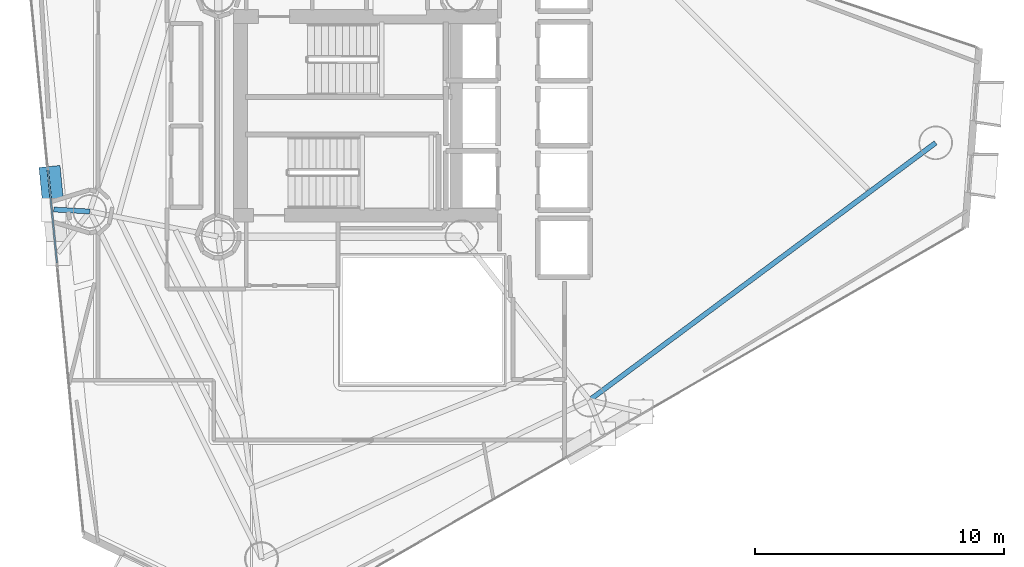
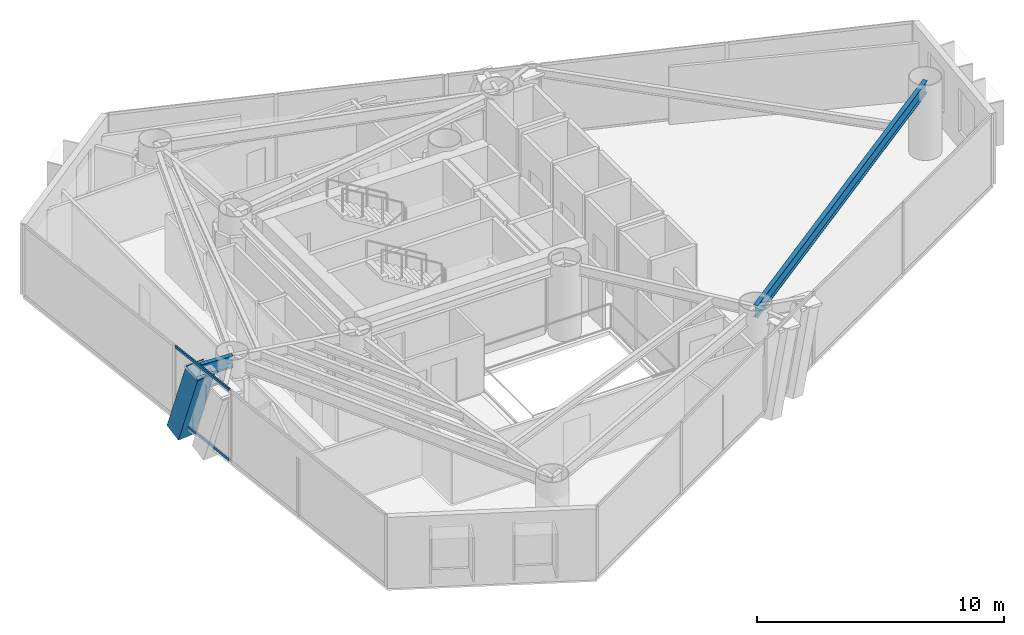
# One storey, part 8 of 22: 3 members, 2 beams, 1 element without a shape of its own.
"""IFC4 building model written with IfcOpenShell, lengths in metres."""

import ifcopenshell
import ifcopenshell.guid

model = None  # the IFC model being written
_history = None  # IfcOwnerHistory: only IFC2X3 demands one
_inside = {}  # id of a spatial element -> (the spatial element, [elements in it])
_under = {}  # id of a project, library or spatial element -> (it, [spatial elements below it])
_declared = {}  # id of a project -> (the project, [libraries it declares])
_typed = {}  # id of a type object -> (the type object, [elements of that type])
_made_of = {}  # id of a material, layer set ... -> (it, [elements and type objects made of it])


def new_model(schema):
    """Start an empty IFC model of exactly this schema.

    Asked for "IFC4X3", IfcOpenShell would pick the latest addendum, in which some entities
    have other attributes; the version numbers below select the first issue.
    IFC2X3 requires an IfcOwnerHistory on every rooted entity: one is made here for all.
    """
    global model, _history
    if schema == "IFC4X3":
        model = ifcopenshell.file(schema_version=(4, 3, 0, 0))
    else:
        model = ifcopenshell.file(schema=schema)
    _inside.clear()
    _under.clear()
    _declared.clear()
    _typed.clear()
    _made_of.clear()
    _history = None
    if model.schema == "IFC2X3":
        org = make("IfcOrganization", Name="unknown")
        user = make(
            "IfcPersonAndOrganization",
            ThePerson=make("IfcPerson", FamilyName="unknown"),
            TheOrganization=org,
        )
        app = make(
            "IfcApplication",
            ApplicationDeveloper=org,
            Version="unknown",
            ApplicationFullName="unknown",
            ApplicationIdentifier="unknown",
        )
        _history = make(
            "IfcOwnerHistory",
            OwningUser=user,
            OwningApplication=app,
            ChangeAction="ADDED",
            CreationDate=0,
        )
    return model


def make(cls, **values):
    """One entity of the class cls with the attributes given. An attribute that is None is left unset."""
    return model.create_entity(
        cls, **{name: value for name, value in values.items() if value is not None}
    )


def rooted(cls, **values):
    """An entity with a GlobalId (a new one), such as an element, a storey or a relation."""
    return make(cls, GlobalId=ifcopenshell.guid.new(), OwnerHistory=_history, **values)


def si_unit(unit_type, name, prefix=None):
    """IfcSIUnit, for example si_unit("LENGTHUNIT", "METRE", prefix="MILLI")."""
    return make("IfcSIUnit", UnitType=unit_type, Prefix=prefix, Name=name)


def assignment(units):
    """IfcUnitAssignment: the units of a project."""
    return None if units is None else make("IfcUnitAssignment", Units=units)


def point(xyz):
    """IfcCartesianPoint."""
    return None if xyz is None else make("IfcCartesianPoint", Coordinates=xyz)


def direction(xyz):
    """IfcDirection."""
    return None if xyz is None else make("IfcDirection", DirectionRatios=xyz)


def frame(location, z_axis=None, x_axis=None):
    """IfcAxis2Placement3D, a coordinate frame: its origin and axes. An axis left out is left unset."""
    return make(
        "IfcAxis2Placement3D",
        Location=point(location),
        Axis=direction(z_axis),
        RefDirection=direction(x_axis),
    )


def frame_2d(location, x_axis=None):
    """IfcAxis2Placement2D, a coordinate frame in the plane: its origin and x axis."""
    return make(
        "IfcAxis2Placement2D", Location=point(location), RefDirection=direction(x_axis)
    )


def origin():
    """The frame at (0, 0, 0) with its axes left unset."""
    return frame((0.0, 0.0, 0.0))


def origin_2d():
    """The frame at (0, 0) in the plane with its x axis left unset."""
    return frame_2d((0.0, 0.0))


def place(relative_to, where):
    """IfcLocalPlacement: puts the frame where relative to a parent placement (None: the world)."""
    return make(
        "IfcLocalPlacement", PlacementRelTo=relative_to, RelativePlacement=where
    )


def context(
    kind, dimensions, precision=None, world=None, true_north=None, identifier=None
):
    """IfcGeometricRepresentationContext, for example the 3D "Model" context."""
    return make(
        "IfcGeometricRepresentationContext",
        ContextIdentifier=identifier,
        ContextType=kind,
        CoordinateSpaceDimension=dimensions,
        Precision=precision,
        WorldCoordinateSystem=world,
        TrueNorth=true_north,
    )


def subcontext(parent, identifier, kind, view, scale=None):
    """IfcGeometricRepresentationSubContext, for example "Body" below "Model"."""
    return make(
        "IfcGeometricRepresentationSubContext",
        ContextIdentifier=identifier,
        ContextType=kind,
        ParentContext=parent,
        TargetScale=scale,
        TargetView=view,
    )


def project(units=None, contexts=None):
    """IfcProject with its units and contexts."""
    return rooted(
        "IfcProject",
        Name="project",
        RepresentationContexts=contexts,
        UnitsInContext=assignment(units),
    )


def spatial(cls, under=None, at=None, **own):
    """A site, building, storey or space (cls), placed at a placement, below another one or the project."""
    s = rooted(cls, ObjectPlacement=at, **own)
    if under is not None:
        _under.setdefault(under.id(), (under, []))[1].append(s)
    return s


def profile(cls, at=None, kind="AREA", **sizes):
    """A parametric profile (cls). Its sizes go by their IFC names, for example OverallWidth=200.0."""
    return make(cls, ProfileType=kind, Position=at, **sizes)


def hollow_rectangle(**sizes):
    """IfcRectangleHollowProfileDef."""
    return profile("IfcRectangleHollowProfileDef", **sizes)


def i_section(**sizes):
    """IfcIShapeProfileDef."""
    return profile("IfcIShapeProfileDef", **sizes)


def extrude(swept, where, along, depth):
    """IfcExtrudedAreaSolid: the profile swept, set in the frame where, extruded along a direction by depth."""
    return make(
        "IfcExtrudedAreaSolid",
        SweptArea=swept,
        Position=where,
        ExtrudedDirection=direction(along),
        Depth=depth,
    )


def shape(context_of_items, identifier, shape_type, items):
    """IfcShapeRepresentation: the items that make up one representation, for example the "Body"."""
    return make(
        "IfcShapeRepresentation",
        ContextOfItems=context_of_items,
        RepresentationIdentifier=identifier,
        RepresentationType=shape_type,
        Items=items,
    )


def material(Name=None, Category=None):
    """IfcMaterial."""
    return make("IfcMaterial", Name=Name, Category=Category)


def layer(
    of_material, thickness, ventilated=None, Name=None, Category=None, Priority=None
):
    """IfcMaterialLayer: one layer of a wall or slab, of a material (None: an air gap)."""
    return make(
        "IfcMaterialLayer",
        Material=of_material,
        LayerThickness=thickness,
        IsVentilated=ventilated,
        Name=Name,
        Category=Category,
        Priority=Priority,
    )


def layer_set(layers, Name=None):
    """IfcMaterialLayerSet."""
    return make("IfcMaterialLayerSet", MaterialLayers=layers, LayerSetName=Name)


def material_profile(
    of_material, cross_section, Name=None, Category=None, Priority=None
):
    """IfcMaterialProfile: a cross section and its material."""
    return make(
        "IfcMaterialProfile",
        Name=Name,
        Material=of_material,
        Profile=cross_section,
        Priority=Priority,
        Category=Category,
    )


def profile_set(profiles, Name=None, composite=None):
    """IfcMaterialProfileSet."""
    return make(
        "IfcMaterialProfileSet",
        Name=Name,
        MaterialProfiles=profiles,
        CompositeProfile=composite,
    )


def made_of(thing, what):
    """Note that an element or type object is made of a material, layer set ...; save() writes the relation."""
    if what is not None:
        _made_of.setdefault(what.id(), (what, []))[1].append(thing)
    return thing


def type_object(cls, material=None, **own):
    """A type object (cls), such as IfcWallType, which elements share."""
    return made_of(rooted(cls, **own), material)


def element(
    cls,
    number,
    at=None,
    inside=None,
    cuts=None,
    type_object=None,
    material=None,
    context=None,
    identifier="Body",
    shape_type=None,
    held_by="IfcProductDefinitionShape",
    body=None,
    shapes=None,
    **own,
):
    """One element of the class cls, such as IfcWall. Its Tag is "e" and its number.

    at: its placement. inside: the storey or other place that contains it. cuts: it is an
    opening in that element (IfcRelVoidsElement). A single representation is given by context,
    identifier, shape_type and body (its items); several are given by shapes. held_by: the class
    of the entity that holds the representations. save() writes the other relations.
    """
    e = rooted(cls, Tag="e%d" % number, ObjectPlacement=at, **own)
    if body is not None:
        shapes = [shape(context, identifier, shape_type, body)]
    if shapes is not None:
        e.Representation = make(held_by, Representations=shapes)
    if inside is not None:
        _inside.setdefault(inside.id(), (inside, []))[1].append(e)
    if cuts is not None:
        rooted(
            "IfcRelVoidsElement", RelatingBuildingElement=cuts, RelatedOpeningElement=e
        )
    if type_object is not None:
        _typed.setdefault(type_object.id(), (type_object, []))[1].append(e)
    return made_of(e, material)


def aggregate(whole, parts):
    """IfcRelAggregates: a whole, such as a stair, and the parts it consists of."""
    return rooted("IfcRelAggregates", RelatingObject=whole, RelatedObjects=parts)


def save(model, path):
    """Write the relations noted so far, then the file.

    IfcRelAggregates (storeys below a building ...), IfcRelContainedInSpatialStructure (elements
    in a storey), IfcRelDefinesByType, IfcRelAssociatesMaterial and IfcRelDeclares: one each for
    every whole, place, type object, material and project.
    """
    for whole, parts in _under.values():
        aggregate(whole, parts)
    for where, things in _inside.values():
        rooted(
            "IfcRelContainedInSpatialStructure",
            RelatedElements=things,
            RelatingStructure=where,
        )
    for kind, things in _typed.values():
        rooted("IfcRelDefinesByType", RelatedObjects=things, RelatingType=kind)
    for what, things in _made_of.values():
        rooted("IfcRelAssociatesMaterial", RelatedObjects=things, RelatingMaterial=what)
    for by, libraries in _declared.values():
        rooted("IfcRelDeclares", RelatingContext=by, RelatedDefinitions=libraries)
    model.write(path)


model = new_model("IFC4")

# Units and contexts
model_context = context("Model", 3, precision=1e-05, world=origin(), true_north=direction((0.0, 1.0)))
body_context = subcontext(model_context, "Body", "Model", "MODEL_VIEW")
ifc_project = project(units=[si_unit("LENGTHUNIT", "METRE"), si_unit("AREAUNIT", "SQUARE_METRE"), si_unit("VOLUMEUNIT", "CUBIC_METRE"), si_unit("PLANEANGLEUNIT", "RADIAN"), si_unit("MASSUNIT", "GRAM", prefix="KILO")], contexts=[model_context])

# Site, building, storey
site_placement = place(None, origin())
site = spatial("IfcSite", under=ifc_project, at=site_placement, CompositionType="ELEMENT")
building_placement = place(site_placement, origin())
building = spatial("IfcBuilding", under=site, at=building_placement, Name="Qianvela Tower", CompositionType="ELEMENT")
storey_placement = place(building_placement, frame((0.0, 0.0, 169.800048828125)))
storey = spatial("IfcBuildingStorey", under=building, at=storey_placement, Name="L43", CompositionType="ELEMENT", Elevation=169.800048828125)

# Beams
ifc_material_1 = material(Name="Steel Q355B", Category="steel")
ifc_material_profile_1 = material_profile(ifc_material_1, i_section(OverallWidth=0.199951171875, OverallDepth=0.60009765625, WebThickness=0.010986328125, FlangeThickness=0.01708984375, at=origin_2d()), Name="HN600x200x11x17")
ifc_profile_set_1 = profile_set([ifc_material_profile_1], Name="Steel Q355B")
beam_type = type_object("IfcBeamType", Name="BM-HN600-GIRD", PredefinedType="BEAM", material=ifc_profile_set_1)
beam_1_placement = place(storey_placement, frame((23.446044921875, 24.85888671875, 3.218017578125), z_axis=(-0.998511209896, 0.054546894623, 0.0), x_axis=(-0.054546894623, -0.998511209896, 0.0)))
element("IfcBeam", 1, at=beam_1_placement, inside=storey, type_object=beam_type, Name="L43 Mega-Brace Column Tie Bracket F2-1", PredefinedType="BEAM", context=body_context, shape_type="SweptSolid", body=[
    extrude(i_section(OverallWidth=0.199951171875, OverallDepth=0.60009765625, WebThickness=0.010986328125, FlangeThickness=0.01708984375, at=origin_2d()), origin(), (0.0, 0.0, 1.0), 1.4501953125),
])
beam_2_placement = place(storey_placement, frame((43.52490234375, 17.279052734375, 3.218017578125), z_axis=(0.802568869864, 0.596559476603, 0.0), x_axis=(-0.596559476603, 0.802568869864, 0.0)))
element("IfcBeam", 2, at=beam_2_placement, inside=storey, type_object=beam_type, Name="L43 Perimeter Ring Spandrel Girder 6", PredefinedType="BEAM", context=body_context, shape_type="SweptSolid", body=[
    extrude(i_section(OverallWidth=0.199951171875, OverallDepth=0.60009765625, WebThickness=0.010986328125, FlangeThickness=0.01708984375, at=origin_2d()), origin(), (0.0, 0.0, 1.0), 17.330810546875),
])

# Curtain wall, members
ifc_material_2 = material(Name="Anodised Architectural Aluminium and Insulated Spandrel Panel", Category="aluminium")
ifc_layer = layer(ifc_material_2, 0.179931640625)
ifc_layer_set = layer_set([ifc_layer], Name="Anodised Architectural Aluminium and Insulated Spandrel Panel")
curtain_wall_type = type_object("IfcCurtainWallType", Name="CW-BRACEBAY", PredefinedType="USERDEFINED", material=ifc_layer_set)
curtain_wall_placement = place(storey_placement, origin())
curtain_wall = element("IfcCurtainWall", 3, at=curtain_wall_placement, inside=storey, type_object=curtain_wall_type, Name="L43 CW-BRACEBAY Curtain Wall 04B", ObjectType="CURTAIN_WALL_SYSTEM", PredefinedType="USERDEFINED")
ifc_material_3 = material(Name="Anodised Architectural Aluminium 6063-T6", Category="aluminium")
ifc_material_profile_2 = material_profile(ifc_material_3, hollow_rectangle(XDim=0.06494140625, YDim=0.1298828125, WallThickness=0.00439453125, at=origin_2d()), Name="ALU-TRAN-65x130")
ifc_profile_set_2 = profile_set([ifc_material_profile_2], Name="Anodised Architectural Aluminium 6063-T6")
member_type_1 = type_object("IfcMemberType", Name="CW-BRACEBAY-TRAN", PredefinedType="USERDEFINED", material=ifc_profile_set_2)
member_1_placement = place(storey_placement, frame((21.761962890625, 26.528564453125, 0.032470703125), z_axis=(0.097524641822, -0.995233110501, 0.0), x_axis=(0.995233110501, 0.097524641822, 0.0)))
member_1 = element("IfcMember", 4, at=member_1_placement, type_object=member_type_1, Name="CW-9 transom 1.1", ObjectType="TRANSOM", PredefinedType="USERDEFINED", context=body_context, shape_type="SweptSolid", body=[
    extrude(hollow_rectangle(XDim=0.06494140625, YDim=0.1298828125, WallThickness=0.00439453125, at=origin_2d()), origin(), (0.0, 0.0, 1.0), 3.75),
])
member_2_placement = place(storey_placement, frame((21.761962890625, 26.528564453125, 3.487548828125), z_axis=(0.097524641822, -0.995233110501, 0.0), x_axis=(0.995233110501, 0.097524641822, 0.0)))
member_2 = element("IfcMember", 5, at=member_2_placement, type_object=member_type_1, Name="CW-9 transom 1.2", ObjectType="TRANSOM", PredefinedType="USERDEFINED", context=body_context, shape_type="SweptSolid", body=[
    extrude(hollow_rectangle(XDim=0.06494140625, YDim=0.1298828125, WallThickness=0.00439453125, at=origin_2d()), origin(), (0.0, 0.0, 1.0), 3.75),
])
aggregate(curtain_wall, [member_1, member_2])

# Member
ifc_material_4 = material(Name="Steel Q420GJC", Category="steel")
ifc_material_profile_3 = material_profile(ifc_material_4, hollow_rectangle(XDim=0.85009765625, YDim=0.85009765625, WallThickness=0.031982421875, at=origin_2d()), Name="MBOX-850x850x32")
ifc_profile_set_3 = profile_set([ifc_material_profile_3], Name="Steel Q420GJC")
member_type_2 = type_object("IfcMemberType", Name="MBR-MBRACE-850", PredefinedType="BRACE", material=ifc_profile_set_3)
member_3_placement = place(storey_placement, frame((21.86767578125, 26.26904296875, -0.48193359375), z_axis=(0.03313745047, -0.33832468158, 0.940445808758), x_axis=(0.995237557753, 0.097479247219, 0.0)))
element("IfcMember", 6, at=member_3_placement, inside=storey, type_object=member_type_2, Name="L43 Tier 7 Exterior Mega-Brace F2A", PredefinedType="BRACE", context=body_context, shape_type="SweptSolid", body=[
    extrude(hollow_rectangle(XDim=0.85009765625, YDim=0.85009765625, WallThickness=0.031982421875, at=origin_2d()), origin(), (0.0, 0.0, 1.0), 3.934326171875),
])

save(model, "model.ifc")
